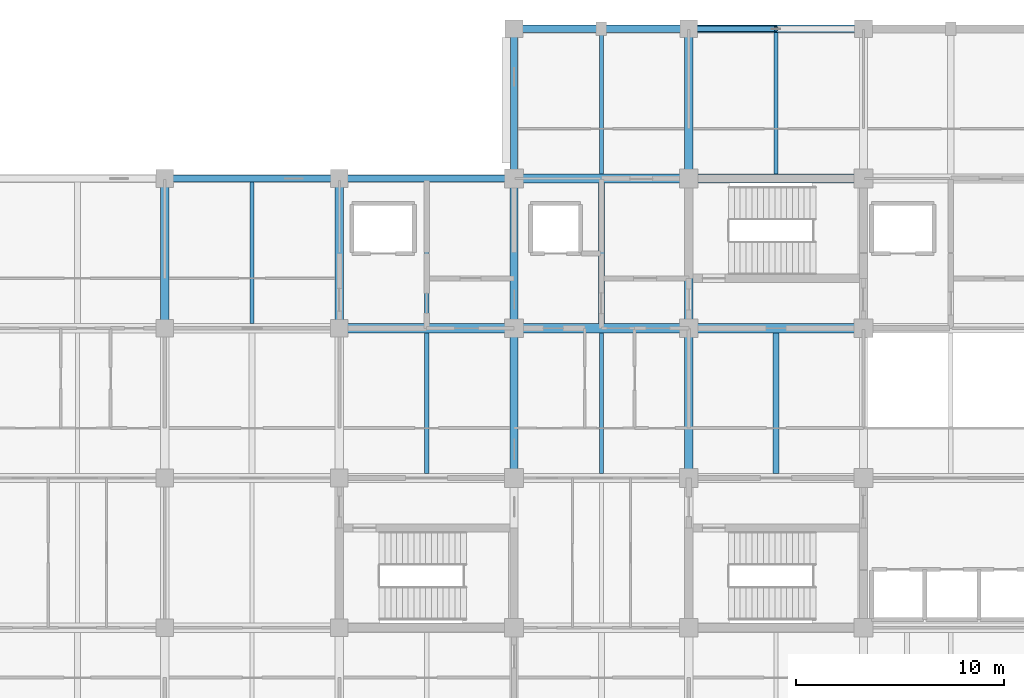
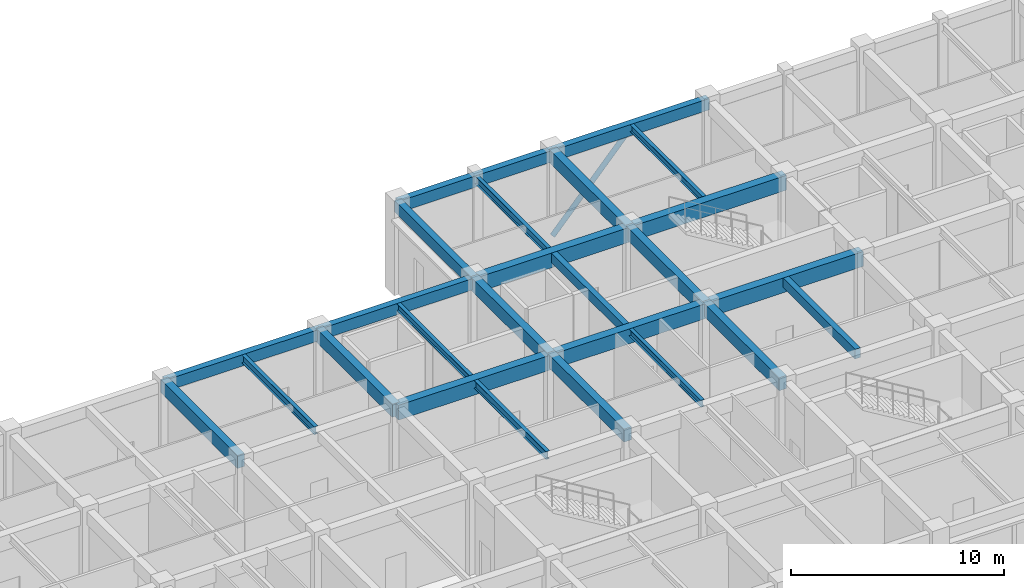
# One storey, part 13 of 68: 25 beams, 1 member.
"""IFC4 building model written with IfcOpenShell, lengths in metres."""

from ifc_helpers import new_model, si_unit, direction, frame, origin, origin_2d, place, context, subcontext, project, spatial, rectangle, hollow_circle, i_section, extrude, material, material_profile, profile_set, type_object, element, save


model = new_model("IFC4")

# Units and contexts
model_context = context("Model", 3, precision=1e-05, world=origin(), true_north=direction((0.0, 1.0)))
body_context = subcontext(model_context, "Body", "Model", "MODEL_VIEW")
ifc_project = project(units=[si_unit("LENGTHUNIT", "METRE"), si_unit("AREAUNIT", "SQUARE_METRE"), si_unit("VOLUMEUNIT", "CUBIC_METRE"), si_unit("PLANEANGLEUNIT", "RADIAN"), si_unit("MASSUNIT", "GRAM", prefix="KILO")], contexts=[model_context])

# Site, building, storey
site_placement = place(None, origin())
site = spatial("IfcSite", under=ifc_project, at=site_placement, CompositionType="ELEMENT")
building_placement = place(site_placement, origin())
building = spatial("IfcBuilding", under=site, at=building_placement, Name="Chengyuan Square Courthouse", CompositionType="ELEMENT")
storey_placement = place(building_placement, frame((0.0, 0.0, 5.39990234375)))
storey = spatial("IfcBuildingStorey", under=building, at=storey_placement, Name="L02", CompositionType="ELEMENT", Elevation=5.39990234375)

# Beams
ifc_material_1 = material(Name="Concrete C40", Category="concrete")
ifc_material_profile_1 = material_profile(ifc_material_1, rectangle(XDim=0.449951171875, YDim=0.85009765625, at=origin_2d()), Name="RC-BM-450x850")
ifc_profile_set_1 = profile_set([ifc_material_profile_1], Name="Concrete C40")
beam_type_1 = type_object("IfcBeamType", Name="BM-01", PredefinedType="USERDEFINED", material=ifc_profile_set_1)
beam_1_placement = place(storey_placement, frame((42.0, 100.800048828125, 4.695068359375), z_axis=(1.0, 0.0, 0.0), x_axis=(0.0, 1.0, 0.0)))
element("IfcBeam", 1, at=beam_1_placement, inside=storey, type_object=beam_type_1, Name="Girder BM-L02-2184", ObjectType="GIRDER", PredefinedType="USERDEFINED", context=body_context, shape_type="SweptSolid", body=[
    extrude(rectangle(XDim=0.449951171875, YDim=0.85009765625, at=origin_2d()), origin(), (0.0, 0.0, 1.0), 8.39990234375),
])
beam_2_placement = place(storey_placement, frame((50.39990234375, 100.800048828125, 4.695068359375), z_axis=(1.0, 0.0, 0.0), x_axis=(0.0, 1.0, 0.0)))
element("IfcBeam", 2, at=beam_2_placement, inside=storey, type_object=beam_type_1, Name="Girder BM-L02-2185", ObjectType="GIRDER", PredefinedType="USERDEFINED", context=body_context, shape_type="SweptSolid", body=[
    extrude(rectangle(XDim=0.449951171875, YDim=0.85009765625, at=origin_2d()), origin(), (0.0, 0.0, 1.0), 8.400146484375),
])
beam_3_placement = place(storey_placement, frame((58.800048828125, 100.800048828125, 4.695068359375), z_axis=(1.0, 0.0, 0.0), x_axis=(0.0, 1.0, 0.0)))
element("IfcBeam", 3, at=beam_3_placement, inside=storey, type_object=beam_type_1, Name="Girder BM-L02-2186", ObjectType="GIRDER", PredefinedType="USERDEFINED", context=body_context, shape_type="SweptSolid", body=[
    extrude(rectangle(XDim=0.449951171875, YDim=0.85009765625, at=origin_2d()), origin(), (0.0, 0.0, 1.0), 8.39990234375),
])
beam_4_placement = place(storey_placement, frame((50.39990234375, 108.0, 4.695068359375), z_axis=(1.0, 0.0, 0.0), x_axis=(0.0, 1.0, 0.0)))
element("IfcBeam", 4, at=beam_4_placement, inside=storey, type_object=beam_type_1, Name="Girder BM-L02-2205", ObjectType="GIRDER", PredefinedType="USERDEFINED", context=body_context, shape_type="SweptSolid", body=[
    extrude(rectangle(XDim=0.449951171875, YDim=0.85009765625, at=origin_2d()), origin(), (0.0, 0.0, 1.0), 8.400146484375),
])
beam_5_placement = place(storey_placement, frame((58.800048828125, 108.0, 4.695068359375), z_axis=(1.0, 0.0, 0.0), x_axis=(0.0, 1.0, 0.0)))
element("IfcBeam", 5, at=beam_5_placement, inside=storey, type_object=beam_type_1, Name="Girder BM-L02-2206", ObjectType="GIRDER", PredefinedType="USERDEFINED", context=body_context, shape_type="SweptSolid", body=[
    extrude(rectangle(XDim=0.449951171875, YDim=0.85009765625, at=origin_2d()), origin(), (0.0, 0.0, 1.0), 8.39990234375),
])
ifc_material_profile_2 = material_profile(ifc_material_1, rectangle(XDim=0.39990234375, YDim=0.75, at=origin_2d()), Name="RC-BM-400x750")
ifc_profile_set_2 = profile_set([ifc_material_profile_2], Name="Concrete C40")
beam_type_2 = type_object("IfcBeamType", Name="BM-02", PredefinedType="USERDEFINED", material=ifc_profile_set_2)
for number, where, z_axis, x_axis, name in (
    (6, (33.60009765625, 100.800048828125, 4.7451171875), (0.0, 1.0, 0.0), (-1.0, 0.0, 0.0), "Girder BM-L02-2279"),
    (7, (42.0, 100.800048828125, 4.7451171875), (0.0, 1.0, 0.0), (-1.0, 0.0, 0.0), "Girder BM-L02-2283"),
    (8, (50.39990234375, 93.60009765625, 4.7451171875), (0.0, 1.0, 0.0), (-1.0, 0.0, 0.0), "Girder BM-L02-2286"),
    (9, (50.39990234375, 100.800048828125, 4.7451171875), (0.0, 1.0, 0.0), (-1.0, 0.0, 0.0), "Girder BM-L02-2287"),
    (10, (58.800048828125, 93.60009765625, 4.7451171875), (0.0, 1.0, 0.0), (-1.0, 0.0, 0.0), "Girder BM-L02-2291"),
    (11, (58.800048828125, 100.800048828125, 4.7451171875), (0.0, 1.0, 0.0), (-1.0, 0.0, 0.0), "Girder BM-L02-2292"),
    (12, (58.800048828125, 108.0, 4.7451171875), (0.0, 1.0, 0.0), (-1.0, 0.0, 0.0), "Girder BM-L02-2293"),
):
    element("IfcBeam", number, at=place(storey_placement, frame(where, z_axis=z_axis, x_axis=x_axis)), inside=storey, type_object=beam_type_2, Name=name, ObjectType="GIRDER", PredefinedType="USERDEFINED", context=body_context, shape_type="SweptSolid", body=[
        extrude(rectangle(XDim=0.39990234375, YDim=0.75, at=origin_2d()), origin(), (0.0, 0.0, 1.0), 7.199951171875),
    ])
ifc_material_profile_3 = material_profile(ifc_material_1, rectangle(XDim=0.35009765625, YDim=0.64990234375, at=origin_2d()), Name="RC-BM-350x650")
ifc_profile_set_3 = profile_set([ifc_material_profile_3], Name="Concrete C40")
beam_type_3 = type_object("IfcBeamType", Name="BM-03", PredefinedType="SPANDREL", material=ifc_profile_set_3)
for number, where, z_axis, x_axis, name in (
    (13, (33.60009765625, 108.0, 4.795166015625), (1.0, 0.0, 0.0), (0.0, 1.0, 0.0), "Girder BM-L02-2203"),
    (14, (42.0, 108.0, 4.795166015625), (1.0, 0.0, 0.0), (0.0, 1.0, 0.0), "Girder BM-L02-2204"),
):
    element("IfcBeam", number, at=place(storey_placement, frame(where, z_axis=z_axis, x_axis=x_axis)), inside=storey, type_object=beam_type_3, Name=name, PredefinedType="SPANDREL", context=body_context, shape_type="SweptSolid", body=[
        extrude(rectangle(XDim=0.35009765625, YDim=0.64990234375, at=origin_2d()), origin(), (0.0, 0.0, 1.0), 8.39990234375),
    ])
beam_6_placement = place(storey_placement, frame((50.39990234375, 115.199951171875, 4.795166015625), z_axis=(1.0, 0.0, 0.0), x_axis=(0.0, 1.0, 0.0)))
element("IfcBeam", 15, at=beam_6_placement, inside=storey, type_object=beam_type_3, Name="Girder BM-L02-2219", PredefinedType="SPANDREL", context=body_context, shape_type="SweptSolid", body=[
    extrude(rectangle(XDim=0.35009765625, YDim=0.64990234375, at=origin_2d()), origin(), (0.0, 0.0, 1.0), 8.400146484375),
])
beam_7_placement = place(storey_placement, frame((58.800048828125, 115.199951171875, 4.795166015625), z_axis=(1.0, 0.0, 0.0), x_axis=(0.0, 1.0, 0.0)))
element("IfcBeam", 16, at=beam_7_placement, inside=storey, type_object=beam_type_3, Name="Girder BM-L02-2220", PredefinedType="SPANDREL", context=body_context, shape_type="SweptSolid", body=[
    extrude(rectangle(XDim=0.35009765625, YDim=0.64990234375, at=origin_2d()), origin(), (0.0, 0.0, 1.0), 8.39990234375),
])
beam_8_placement = place(storey_placement, frame((50.39990234375, 108.0, 4.795166015625), z_axis=(0.0, 1.0, 0.0), x_axis=(-1.0, 0.0, 0.0)))
element("IfcBeam", 17, at=beam_8_placement, inside=storey, type_object=beam_type_3, Name="Girder BM-L02-2288", PredefinedType="SPANDREL", context=body_context, shape_type="SweptSolid", body=[
    extrude(rectangle(XDim=0.35009765625, YDim=0.64990234375, at=origin_2d()), origin(), (0.0, 0.0, 1.0), 7.199951171875),
])
ifc_material_profile_4 = material_profile(ifc_material_1, rectangle(XDim=0.300048828125, YDim=0.550048828125, at=origin_2d()), Name="RC-BM-300x550")
ifc_profile_set_4 = profile_set([ifc_material_profile_4], Name="Concrete C40")
beam_type_4 = type_object("IfcBeamType", Name="BM-04", PredefinedType="BEAM", material=ifc_profile_set_4)
for number, where, z_axis, x_axis, name in (
    (18, (54.60009765625, 101.02490234375, 4.84521484375), (0.0, 1.0, 0.0), (-1.0, 0.0, 0.0), "Secondary Floor Beam SBM-L02-2436"),
    (19, (63.0, 93.824951171875, 4.84521484375), (0.0, 1.0, 0.0), (-1.0, 0.0, 0.0), "Secondary Floor Beam SBM-L02-2439"),
):
    element("IfcBeam", number, at=place(storey_placement, frame(where, z_axis=z_axis, x_axis=x_axis)), inside=storey, type_object=beam_type_4, Name=name, PredefinedType="BEAM", context=body_context, shape_type="SweptSolid", body=[
        extrude(rectangle(XDim=0.300048828125, YDim=0.550048828125, at=origin_2d()), origin(), (0.0, 0.0, 1.0), 6.75),
    ])
ifc_material_2 = material(Name="Steel Q355B", Category="steel")
ifc_material_profile_5 = material_profile(ifc_material_2, i_section(OverallWidth=0.199951171875, OverallDepth=0.449951171875, WebThickness=0.009033203125, FlangeThickness=0.013916015625, at=origin_2d()), Name="HN 450x200x9x14")
ifc_profile_set_5 = profile_set([ifc_material_profile_5], Name="Steel Q355B")
beam_type_5 = type_object("IfcBeamType", Name="BM-06", PredefinedType="BEAM", material=ifc_profile_set_5)
beam_9_placement = place(storey_placement, frame((37.800048828125, 101.02490234375, 4.89501953125), z_axis=(0.0, 1.0, 0.0), x_axis=(-1.0, 0.0, 0.0)))
element("IfcBeam", 20, at=beam_9_placement, inside=storey, type_object=beam_type_5, Name="Secondary Floor Beam SBM-L02-2429", PredefinedType="BEAM", context=body_context, shape_type="SweptSolid", body=[
    extrude(i_section(OverallWidth=0.199951171875, OverallDepth=0.449951171875, WebThickness=0.009033203125, FlangeThickness=0.013916015625, at=origin_2d()), origin(), (0.0, 0.0, 1.0), 6.800048828125),
])
beam_10_placement = place(storey_placement, frame((46.199951171875, 93.824951171875, 4.89501953125), z_axis=(0.0, 1.0, 0.0), x_axis=(-1.0, 0.0, 0.0)))
element("IfcBeam", 21, at=beam_10_placement, inside=storey, type_object=beam_type_5, Name="Secondary Floor Beam SBM-L02-2431", PredefinedType="BEAM", context=body_context, shape_type="SweptSolid", body=[
    extrude(i_section(OverallWidth=0.199951171875, OverallDepth=0.449951171875, WebThickness=0.009033203125, FlangeThickness=0.013916015625, at=origin_2d()), origin(), (0.0, 0.0, 1.0), 6.75),
])
beam_11_placement = place(storey_placement, frame((54.60009765625, 108.22509765625, 4.89501953125), z_axis=(0.0, 1.0, 0.0), x_axis=(-1.0, 0.0, 0.0)))
element("IfcBeam", 22, at=beam_11_placement, inside=storey, type_object=beam_type_5, Name="Secondary Floor Beam SBM-L02-2437", PredefinedType="BEAM", context=body_context, shape_type="SweptSolid", body=[
    extrude(i_section(OverallWidth=0.199951171875, OverallDepth=0.449951171875, WebThickness=0.009033203125, FlangeThickness=0.013916015625, at=origin_2d()), origin(), (0.0, 0.0, 1.0), 6.7998046875),
])
ifc_material_profile_6 = material_profile(ifc_material_2, i_section(OverallWidth=0.199951171875, OverallDepth=0.39990234375, WebThickness=0.008056640625, FlangeThickness=0.012939453125, at=origin_2d()), Name="HN 400x200x8x13")
ifc_profile_set_6 = profile_set([ifc_material_profile_6], Name="Steel Q355B")
beam_type_6 = type_object("IfcBeamType", Name="BM-07", PredefinedType="BEAM", material=ifc_profile_set_6)
beam_12_placement = place(storey_placement, frame((46.199951171875, 101.02490234375, 4.920166015625), z_axis=(0.0, 1.0, 0.0), x_axis=(-1.0, 0.0, 0.0)))
element("IfcBeam", 23, at=beam_12_placement, inside=storey, type_object=beam_type_6, Name="Secondary Floor Beam SBM-L02-2432", PredefinedType="BEAM", context=body_context, shape_type="SweptSolid", body=[
    extrude(i_section(OverallWidth=0.199951171875, OverallDepth=0.39990234375, WebThickness=0.008056640625, FlangeThickness=0.012939453125, at=origin_2d()), origin(), (0.0, 0.0, 1.0), 6.800048828125),
])
beam_13_placement = place(storey_placement, frame((54.60009765625, 93.824951171875, 4.920166015625), z_axis=(0.0, 1.0, 0.0), x_axis=(-1.0, 0.0, 0.0)))
element("IfcBeam", 24, at=beam_13_placement, inside=storey, type_object=beam_type_6, Name="Secondary Floor Beam SBM-L02-2435", PredefinedType="BEAM", context=body_context, shape_type="SweptSolid", body=[
    extrude(i_section(OverallWidth=0.199951171875, OverallDepth=0.39990234375, WebThickness=0.008056640625, FlangeThickness=0.012939453125, at=origin_2d()), origin(), (0.0, 0.0, 1.0), 6.75),
])
beam_14_placement = place(storey_placement, frame((63.0, 108.22509765625, 4.920166015625), z_axis=(0.0, 1.0, 0.0), x_axis=(-1.0, 0.0, 0.0)))
element("IfcBeam", 25, at=beam_14_placement, inside=storey, type_object=beam_type_6, Name="Secondary Floor Beam SBM-L02-2440", PredefinedType="BEAM", context=body_context, shape_type="SweptSolid", body=[
    extrude(i_section(OverallWidth=0.199951171875, OverallDepth=0.39990234375, WebThickness=0.008056640625, FlangeThickness=0.012939453125, at=origin_2d()), origin(), (0.0, 0.0, 1.0), 6.7998046875),
])

# Member
ifc_material_profile_7 = material_profile(ifc_material_2, hollow_circle(Radius=0.136474609375, WallThickness=0.010009765625, at=origin_2d()), Name="CHS 273x10")
ifc_profile_set_7 = profile_set([ifc_material_profile_7], Name="Steel Q355B")
member_type = type_object("IfcMemberType", Name="BR-01", PredefinedType="BRACE", material=ifc_profile_set_7)
member_placement = place(storey_placement, frame((58.800048828125, 115.199951171875, 0.10009765625), z_axis=(0.668702684729, 0.0, 0.743529904871), x_axis=(0.0, 1.0, 0.0)))
element("IfcMember", 26, at=member_placement, inside=storey, type_object=member_type, Name="Steel Chevron Brace BR-L02-005", PredefinedType="BRACE", context=body_context, shape_type="SweptSolid", body=[
    extrude(hollow_circle(Radius=0.136474609375, WallThickness=0.010009765625, at=origin_2d()), origin(), (0.0, 0.0, 1.0), 6.28076171875),
])

save(model, "model.ifc")
